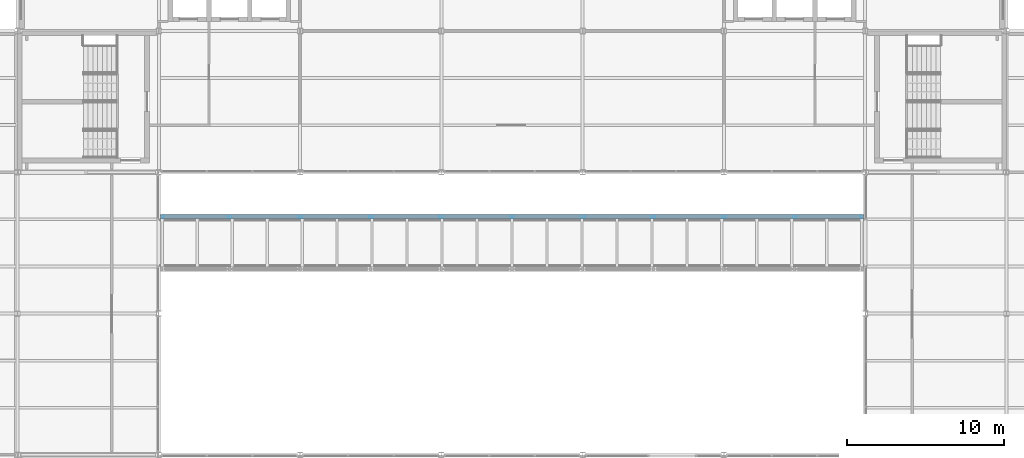
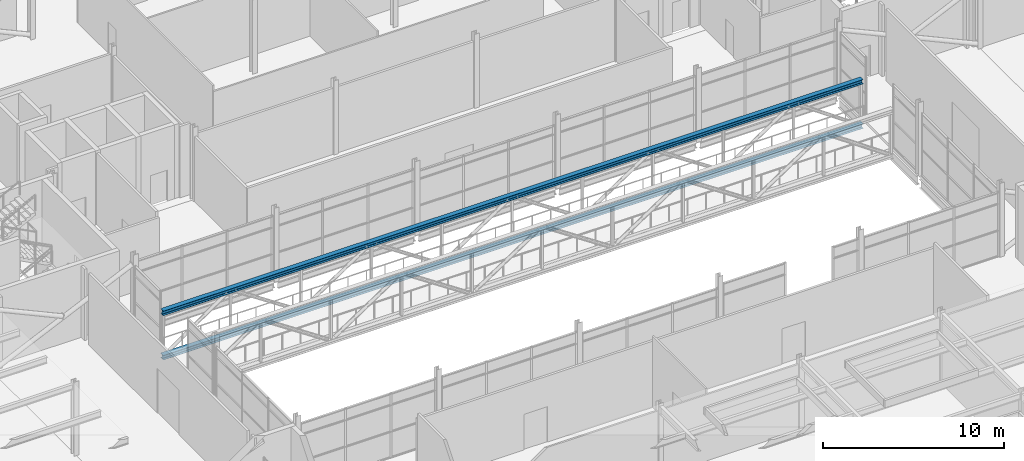
# One storey, part 54 of 115: 2 beams.
"""IFC4 building model written with IfcOpenShell, lengths in metres."""

from ifc_helpers import new_model, si_unit, direction, frame, origin, origin_2d, place, context, subcontext, project, spatial, i_section, extrude, material, material_profile, profile_set, type_object, element, save


model = new_model("IFC4")

# Units and contexts
model_context = context("Model", 3, precision=1e-05, world=origin(), true_north=direction((0.0, 1.0)))
body_context = subcontext(model_context, "Body", "Model", "MODEL_VIEW")
ifc_project = project(units=[si_unit("LENGTHUNIT", "METRE"), si_unit("AREAUNIT", "SQUARE_METRE"), si_unit("VOLUMEUNIT", "CUBIC_METRE"), si_unit("PLANEANGLEUNIT", "RADIAN"), si_unit("MASSUNIT", "GRAM", prefix="KILO")], contexts=[model_context])

# Site, building, storey
site_placement = place(None, origin())
site = spatial("IfcSite", under=ifc_project, at=site_placement, CompositionType="ELEMENT")
building_placement = place(site_placement, origin())
building = spatial("IfcBuilding", under=site, at=building_placement, Name="Shorebreak Coast Museum", CompositionType="ELEMENT")
storey_placement = place(building_placement, frame((0.0, 0.0, 11.0)))
storey = spatial("IfcBuildingStorey", under=building, at=storey_placement, Name="L02", CompositionType="ELEMENT", Elevation=11.0)

# Beams
ifc_material = material(Name="Steel Grade 300", Category="steel")
ifc_material_profile = material_profile(ifc_material, i_section(OverallWidth=0.304931640625, OverallDepth=0.30810546875, WebThickness=0.010009765625, FlangeThickness=0.015380859375, FilletRadius=0.0166015625, at=origin_2d()), Name="310UC96.8")
ifc_profile_set = profile_set([ifc_material_profile], Name="Steel Grade 300")
beam_type = type_object("IfcBeamType", Name="Atrium bridge truss chord 310UC96.8", PredefinedType="BEAM", material=ifc_profile_set)
for number, where, z_axis, x_axis, name in (
    (1, (63.114501953125, 78.16259765625, -0.3291015625), (1.0, 0.0, 0.0), (0.0, 1.0, 0.0), "Atrium bridge truss BR1 side B chord C01"),
    (2, (63.114501953125, 78.16259765625, 2.6708984375), (1.0, 0.0, 0.0), (0.0, 1.0, 0.0), "Atrium bridge truss BR1 side B chord C02"),
):
    element("IfcBeam", number, at=place(storey_placement, frame(where, z_axis=z_axis, x_axis=x_axis)), inside=storey, type_object=beam_type, Name=name, PredefinedType="BEAM", context=body_context, shape_type="SweptSolid", body=[
        extrude(i_section(OverallWidth=0.304931640625, OverallDepth=0.30810546875, WebThickness=0.010009765625, FlangeThickness=0.015380859375, FilletRadius=0.0166015625, at=origin_2d()), origin(), (0.0, 0.0, 1.0), 44.77099609375),
    ])

save(model, "model.ifc")
